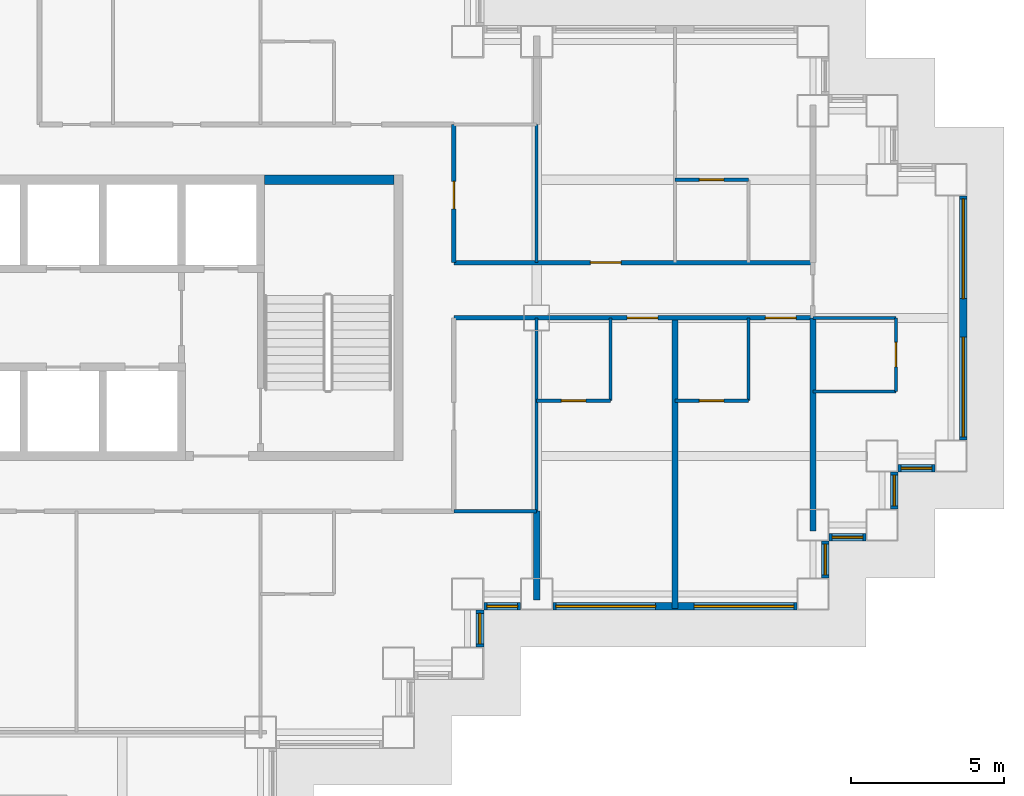
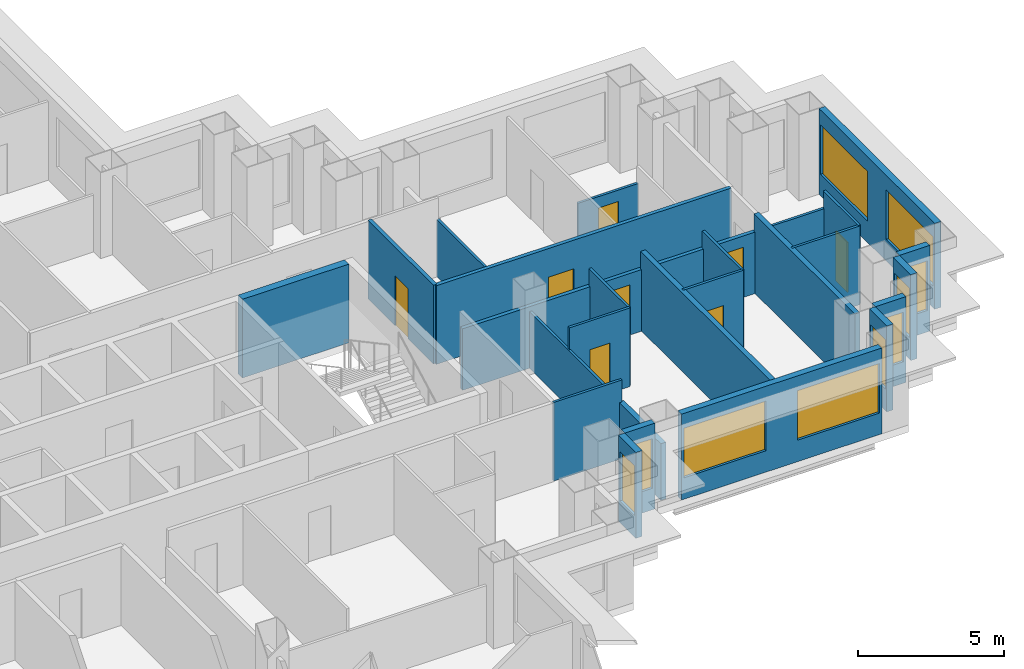
# One storey, part 6 of 14: 26 walls, 10 windows, 8 doors, 18 openings.
"""IFC4 building model written with IfcOpenShell, lengths in metres."""

from ifc_helpers import new_model, si_unit, direction, frame, frame_2d, origin, place, context, subcontext, project, spatial, rectangle, extrude, material, layer, layer_set, type_object, element, fill, save


model = new_model("IFC4")

# Units and contexts
model_context = context("Model", 3, precision=1e-05, world=origin(), true_north=direction((0.0, 1.0)))
body_context = subcontext(model_context, "Body", "Model", "MODEL_VIEW")
ifc_project = project(units=[si_unit("LENGTHUNIT", "METRE"), si_unit("AREAUNIT", "SQUARE_METRE"), si_unit("VOLUMEUNIT", "CUBIC_METRE"), si_unit("PLANEANGLEUNIT", "RADIAN"), si_unit("MASSUNIT", "GRAM", prefix="KILO")], contexts=[model_context])

# Site, building, storey
site_placement = place(None, origin())
site = spatial("IfcSite", under=ifc_project, at=site_placement, CompositionType="ELEMENT")
building_placement = place(site_placement, origin())
building = spatial("IfcBuilding", under=site, at=building_placement, Name="Caravel Reach Hotel and Residences", CompositionType="ELEMENT")
storey_placement = place(building_placement, frame((0.0, 0.0, 37.199951171875)))
storey = spatial("IfcBuildingStorey", under=building, at=storey_placement, Name="L07", CompositionType="ELEMENT", Elevation=37.199951171875)

# Wall, opening, door
ifc_material_1 = material(Name="Gypsum board on steel stud", Category="steel")
ifc_layer_1 = layer(ifc_material_1, 0.10009765625)
ifc_layer_set_1 = layer_set([ifc_layer_1], Name="Bathroom pod wall 100 mm")
wall_type_1 = type_object("IfcWallType", Name="Bathroom pod wall 100 mm", PredefinedType="PARTITIONING", material=ifc_layer_set_1)
wall_1_placement = place(storey_placement, frame((49.5, 24.300048828125, 0.0), z_axis=(0.0, 0.0, 1.0), x_axis=(1.0, 0.0, 0.0)))
wall_1 = element("IfcWall", 1, at=wall_1_placement, inside=storey, type_object=wall_type_1, Name="L07 wall w079", PredefinedType="PARTITIONING", context=body_context, shape_type="SweptSolid", body=[
    extrude(rectangle(XDim=2.39990234375, YDim=0.10009765625, at=frame_2d((1.199951171875, 0.0))), origin(), (0.0, 0.0, 1.0), 3.300048828125),
])
opening_1_placement = place(wall_1_placement, frame((0.800048828125, 0.0, 0.0)))
opening_1 = element("IfcOpeningElement", 2, at=opening_1_placement, cuts=wall_1, Name="Opening D07-020", PredefinedType="OPENING", context=body_context, shape_type="SweptSolid", body=[
    extrude(rectangle(XDim=0.800048828125, YDim=2.10009765625, at=frame_2d((0.39990234375, 1.050048828125))), frame((0.0, 0.06005859375, 0.0), z_axis=(0.0, -1.0, 0.0), x_axis=(1.0, 0.0, 0.0)), (0.0, 0.0, 1.0), 0.1201171875),
])
ifc_material_2 = material(Name="Timber and steel door leaf", Category="steel")
door_type_1 = type_object("IfcDoorType", Name="Bathroom door 800 x 2100", OperationType="SINGLE_SWING_LEFT", PredefinedType="DOOR", material=ifc_material_2)
door_1_placement = place(opening_1_placement, origin())
door_1 = element("IfcDoor", 3, at=door_1_placement, inside=storey, type_object=door_type_1, Name="door D07-020", OperationType="SINGLE_SWING_RIGHT", OverallHeight=2.10009765625, OverallWidth=0.800048828125, PredefinedType="DOOR", context=body_context, shape_type="SweptSolid", body=[
    extrude(rectangle(XDim=0.800048828125, YDim=2.10009765625, at=frame_2d((0.39990234375, 1.050048828125))), frame((0.0, 0.02490234375, 0.0), z_axis=(0.0, -1.0, 0.0), x_axis=(1.0, 0.0, 0.0)), (0.0, 0.0, 1.0), 0.050048828125),
])
fill(opening_1, door_1)

wall_2_placement = place(storey_placement, frame((54.0, 24.300048828125, 0.0), z_axis=(0.0, 0.0, 1.0), x_axis=(1.0, 0.0, 0.0)))
wall_2 = element("IfcWall", 4, at=wall_2_placement, inside=storey, type_object=wall_type_1, Name="L07 wall w080", PredefinedType="PARTITIONING", context=body_context, shape_type="SweptSolid", body=[
    extrude(rectangle(XDim=2.39990234375, YDim=0.10009765625, at=frame_2d((1.199951171875, 0.0))), origin(), (0.0, 0.0, 1.0), 3.300048828125),
])
opening_2_placement = place(wall_2_placement, frame((0.800048828125, 0.0, 0.0)))
opening_2 = element("IfcOpeningElement", 5, at=opening_2_placement, cuts=wall_2, Name="Opening D07-022", PredefinedType="OPENING", context=body_context, shape_type="SweptSolid", body=[
    extrude(rectangle(XDim=0.800048828125, YDim=2.10009765625, at=frame_2d((0.39990234375, 1.050048828125))), frame((0.0, 0.06005859375, 0.0), z_axis=(0.0, -1.0, 0.0), x_axis=(1.0, 0.0, 0.0)), (0.0, 0.0, 1.0), 0.1201171875),
])
door_2_placement = place(opening_2_placement, origin())
door_2 = element("IfcDoor", 6, at=door_2_placement, inside=storey, type_object=door_type_1, Name="door D07-022", OperationType="SINGLE_SWING_RIGHT", OverallHeight=2.10009765625, OverallWidth=0.800048828125, PredefinedType="DOOR", context=body_context, shape_type="SweptSolid", body=[
    extrude(rectangle(XDim=0.800048828125, YDim=2.10009765625, at=frame_2d((0.39990234375, 1.050048828125))), frame((0.0, 0.02490234375, 0.0), z_axis=(0.0, -1.0, 0.0), x_axis=(1.0, 0.0, 0.0)), (0.0, 0.0, 1.0), 0.050048828125),
])
fill(opening_2, door_2)

# Walls
wall_3_placement = place(storey_placement, frame((58.5, 24.60009765625, 0.0), z_axis=(0.0, 0.0, 1.0), x_axis=(1.0, 0.0, 0.0)))
element("IfcWall", 7, at=wall_3_placement, inside=storey, type_object=wall_type_1, Name="L07 wall w081", PredefinedType="PARTITIONING", context=body_context, shape_type="SweptSolid", body=[
    extrude(rectangle(XDim=2.699951171875, YDim=0.10009765625, at=frame_2d((1.35009765625, 0.0))), origin(), (0.0, 0.0, 1.0), 3.300048828125),
])
wall_4_placement = place(storey_placement, frame((58.5, 27.0, 0.0), z_axis=(0.0, 0.0, 1.0), x_axis=(1.0, 0.0, 0.0)))
element("IfcWall", 8, at=wall_4_placement, inside=storey, type_object=wall_type_1, Name="L07 wall w082", PredefinedType="PARTITIONING", context=body_context, shape_type="SweptSolid", body=[
    extrude(rectangle(XDim=2.699951171875, YDim=0.10009765625, at=frame_2d((1.35009765625, 0.0))), origin(), (0.0, 0.0, 1.0), 2.580078125),
])

# Wall, opening, door
wall_5_placement = place(storey_placement, frame((54.0, 31.5, 0.0), z_axis=(0.0, 0.0, 1.0), x_axis=(1.0, 0.0, 0.0)))
wall_5 = element("IfcWall", 9, at=wall_5_placement, inside=storey, type_object=wall_type_1, Name="L07 wall w084", PredefinedType="PARTITIONING", context=body_context, shape_type="SweptSolid", body=[
    extrude(rectangle(XDim=2.39990234375, YDim=0.10009765625, at=frame_2d((1.199951171875, 0.0))), origin(), (0.0, 0.0, 1.0), 2.580078125),
])
opening_3_placement = place(wall_5_placement, frame((0.800048828125, 0.0, 0.0)))
opening_3 = element("IfcOpeningElement", 10, at=opening_3_placement, cuts=wall_5, Name="Opening D07-025", PredefinedType="OPENING", context=body_context, shape_type="SweptSolid", body=[
    extrude(rectangle(XDim=0.800048828125, YDim=2.10009765625, at=frame_2d((0.39990234375, 1.050048828125))), frame((0.0, 0.06005859375, 0.0), z_axis=(0.0, -1.0, 0.0), x_axis=(1.0, 0.0, 0.0)), (0.0, 0.0, 1.0), 0.1201171875),
])
door_3_placement = place(opening_3_placement, origin())
door_3 = element("IfcDoor", 11, at=door_3_placement, inside=storey, type_object=door_type_1, Name="door D07-025", OperationType="SINGLE_SWING_RIGHT", OverallHeight=2.10009765625, OverallWidth=0.800048828125, PredefinedType="DOOR", context=body_context, shape_type="SweptSolid", body=[
    extrude(rectangle(XDim=0.800048828125, YDim=2.10009765625, at=frame_2d((0.39990234375, 1.050048828125))), frame((0.0, 0.02490234375, 0.0), z_axis=(0.0, -1.0, 0.0), x_axis=(1.0, 0.0, 0.0)), (0.0, 0.0, 1.0), 0.050048828125),
])
fill(opening_3, door_3)

# Walls
for number, where, z_axis, x_axis, name in (
    (12, (51.89990234375, 24.300048828125, 0.0), (0.0, 0.0, 1.0), (0.0, 1.0, 0.0), "L07 wall w101"),
    (13, (56.39990234375, 24.300048828125, 0.0), (0.0, 0.0, 1.0), (0.0, 1.0, 0.0), "L07 wall w102"),
):
    element("IfcWall", number, at=place(storey_placement, frame(where, z_axis=z_axis, x_axis=x_axis)), inside=storey, type_object=wall_type_1, Name=name, PredefinedType="PARTITIONING", context=body_context, shape_type="SweptSolid", body=[
        extrude(rectangle(XDim=2.699951171875, YDim=0.10009765625, at=frame_2d((1.35009765625, 0.0))), origin(), (0.0, 0.0, 1.0), 3.300048828125),
    ])

# Wall, opening, door
wall_6_placement = place(storey_placement, frame((61.199951171875, 24.60009765625, 0.0), z_axis=(0.0, 0.0, 1.0), x_axis=(0.0, 1.0, 0.0)))
wall_6 = element("IfcWall", 14, at=wall_6_placement, inside=storey, type_object=wall_type_1, Name="L07 wall w104", PredefinedType="PARTITIONING", context=body_context, shape_type="SweptSolid", body=[
    extrude(rectangle(XDim=2.39990234375, YDim=0.10009765625, at=frame_2d((1.199951171875, 0.0))), origin(), (0.0, 0.0, 1.0), 3.300048828125),
])
opening_4_placement = place(wall_6_placement, frame((0.800048828125, 0.0, 0.0)))
opening_4 = element("IfcOpeningElement", 15, at=opening_4_placement, cuts=wall_6, Name="Opening D07-038", PredefinedType="OPENING", context=body_context, shape_type="SweptSolid", body=[
    extrude(rectangle(XDim=0.800048828125, YDim=2.10009765625, at=frame_2d((0.39990234375, 1.050048828125))), frame((0.0, 0.06005859375, 0.0), z_axis=(0.0, -1.0, 0.0), x_axis=(1.0, 0.0, 0.0)), (0.0, 0.0, 1.0), 0.1201171875),
])
door_4_placement = place(opening_4_placement, origin())
door_4 = element("IfcDoor", 16, at=door_4_placement, inside=storey, type_object=door_type_1, Name="door D07-038", OperationType="SINGLE_SWING_RIGHT", OverallHeight=2.10009765625, OverallWidth=0.800048828125, PredefinedType="DOOR", context=body_context, shape_type="SweptSolid", body=[
    extrude(rectangle(XDim=0.800048828125, YDim=2.10009765625, at=frame_2d((0.39990234375, 1.050048828125))), frame((0.0, 0.02490234375, 0.0), z_axis=(0.0, -1.0, 0.0), x_axis=(1.0, 0.0, 0.0)), (0.0, 0.0, 1.0), 0.050048828125),
])
fill(opening_4, door_4)

# Wall
ifc_material_3 = material(Name="Concrete C60", Category="concrete")
ifc_layer_2 = layer(ifc_material_3, 0.300048828125)
ifc_layer_set_2 = layer_set([ifc_layer_2], Name="Core wall 300 mm EI 120")
wall_type_2 = type_object("IfcWallType", Name="Core wall 300 mm EI 120", PredefinedType="SHEAR", material=ifc_layer_set_2)
wall_7_placement = place(storey_placement, frame((40.625, 31.5, 0.0), z_axis=(0.0, 0.0, 1.0), x_axis=(1.0, 0.0, 0.0)))
element("IfcWall", 17, at=wall_7_placement, inside=storey, type_object=wall_type_2, Name="L07 core wall N2", PredefinedType="SHEAR", context=body_context, shape_type="SweptSolid", body=[
    extrude(rectangle(XDim=4.22509765625, YDim=0.300048828125, at=frame_2d((2.112548828125, 0.0))), origin(), (0.0, 0.0, 1.0), 3.300048828125),
])

# Wall, openings, doors
ifc_material_4 = material(Name="Gypsum board on steel stud, fire-rated", Category="steel")
ifc_layer_3 = layer(ifc_material_4, 0.14990234375)
ifc_layer_set_3 = layer_set([ifc_layer_3], Name="Corridor wall 150 mm EI 60")
wall_type_3 = type_object("IfcWallType", Name="Corridor wall 150 mm EI 60", PredefinedType="PARTITIONING", material=ifc_layer_set_3)
wall_8_placement = place(storey_placement, frame((46.800048828125, 27.0, 0.0), z_axis=(0.0, 0.0, 1.0), x_axis=(1.0, 0.0, 0.0)))
wall_8 = element("IfcWall", 18, at=wall_8_placement, inside=storey, type_object=wall_type_3, Name="L07 wall w011", PredefinedType="PARTITIONING", context=body_context, shape_type="SweptSolid", body=[
    extrude(rectangle(XDim=11.699951171875, YDim=0.14990234375, at=frame_2d((5.85009765625, 0.0))), origin(), (0.0, 0.0, 1.0), 2.580078125),
])
opening_5_placement = place(wall_8_placement, frame((5.64990234375, 0.0, 0.0)))
opening_5 = element("IfcOpeningElement", 19, at=opening_5_placement, cuts=wall_8, Name="Opening D07-019", PredefinedType="OPENING", context=body_context, shape_type="SweptSolid", body=[
    extrude(rectangle(XDim=1.0, YDim=2.10009765625, at=frame_2d((0.5, 1.050048828125))), frame((0.0, 0.0849609375, 0.0), z_axis=(0.0, -1.0, 0.0), x_axis=(1.0, 0.0, 0.0)), (0.0, 0.0, 1.0), 0.169921875),
])
opening_6_placement = place(wall_8_placement, frame((10.14990234375, 0.0, 0.0)))
opening_6 = element("IfcOpeningElement", 20, at=opening_6_placement, cuts=wall_8, Name="Opening D07-021", PredefinedType="OPENING", context=body_context, shape_type="SweptSolid", body=[
    extrude(rectangle(XDim=1.0, YDim=2.10009765625, at=frame_2d((0.5, 1.050048828125))), frame((0.0, 0.0849609375, 0.0), z_axis=(0.0, -1.0, 0.0), x_axis=(1.0, 0.0, 0.0)), (0.0, 0.0, 1.0), 0.169921875),
])
ifc_material_5 = material(Name="Steel fire door leaf", Category="steel")
door_type_2 = type_object("IfcDoorType", Name="Guest room door 1000 x 2100 EI 30", OperationType="SINGLE_SWING_LEFT", PredefinedType="DOOR", material=ifc_material_5)
door_5_placement = place(opening_5_placement, origin())
door_5 = element("IfcDoor", 21, at=door_5_placement, inside=storey, type_object=door_type_2, Name="door D07-019", OperationType="SINGLE_SWING_RIGHT", OverallHeight=2.10009765625, OverallWidth=1.0, PredefinedType="DOOR", context=body_context, shape_type="SweptSolid", body=[
    extrude(rectangle(XDim=1.0, YDim=2.10009765625, at=frame_2d((0.5, 1.050048828125))), frame((0.0, 0.02490234375, 0.0), z_axis=(0.0, -1.0, 0.0), x_axis=(1.0, 0.0, 0.0)), (0.0, 0.0, 1.0), 0.050048828125),
])
fill(opening_5, door_5)
door_6_placement = place(opening_6_placement, origin())
door_6 = element("IfcDoor", 22, at=door_6_placement, inside=storey, type_object=door_type_2, Name="door D07-021", OperationType="SINGLE_SWING_RIGHT", OverallHeight=2.10009765625, OverallWidth=1.0, PredefinedType="DOOR", context=body_context, shape_type="SweptSolid", body=[
    extrude(rectangle(XDim=1.0, YDim=2.10009765625, at=frame_2d((0.5, 1.050048828125))), frame((0.0, 0.02490234375, 0.0), z_axis=(0.0, -1.0, 0.0), x_axis=(1.0, 0.0, 0.0)), (0.0, 0.0, 1.0), 0.050048828125),
])
fill(opening_6, door_6)

# Wall, opening, door
wall_9_placement = place(storey_placement, frame((46.800048828125, 28.800048828125, 0.0), z_axis=(0.0, 0.0, 1.0), x_axis=(1.0, 0.0, 0.0)))
wall_9 = element("IfcWall", 23, at=wall_9_placement, inside=storey, type_object=wall_type_3, Name="L07 wall w013", PredefinedType="PARTITIONING", context=body_context, shape_type="SweptSolid", body=[
    extrude(rectangle(XDim=11.699951171875, YDim=0.14990234375, at=frame_2d((5.85009765625, 0.0))), origin(), (0.0, 0.0, 1.0), 3.300048828125),
])
opening_7_placement = place(wall_9_placement, frame((4.449951171875, 0.0, 0.0)))
opening_7 = element("IfcOpeningElement", 24, at=opening_7_placement, cuts=wall_9, Name="Opening D07-023", PredefinedType="OPENING", context=body_context, shape_type="SweptSolid", body=[
    extrude(rectangle(XDim=1.0, YDim=2.10009765625, at=frame_2d((0.5, 1.050048828125))), frame((0.0, 0.0849609375, 0.0), z_axis=(0.0, -1.0, 0.0), x_axis=(1.0, 0.0, 0.0)), (0.0, 0.0, 1.0), 0.169921875),
])
door_7_placement = place(opening_7_placement, origin())
door_7 = element("IfcDoor", 25, at=door_7_placement, inside=storey, type_object=door_type_2, Name="door D07-023", OperationType="SINGLE_SWING_LEFT", OverallHeight=2.10009765625, OverallWidth=1.0, PredefinedType="DOOR", context=body_context, shape_type="SweptSolid", body=[
    extrude(rectangle(XDim=1.0, YDim=2.10009765625, at=frame_2d((0.5, 1.050048828125))), frame((0.0, 0.02490234375, 0.0), z_axis=(0.0, -1.0, 0.0), x_axis=(1.0, 0.0, 0.0)), (0.0, 0.0, 1.0), 0.050048828125),
])
fill(opening_7, door_7)

wall_10_placement = place(storey_placement, frame((46.800048828125, 28.800048828125, 0.0), z_axis=(0.0, 0.0, 1.0), x_axis=(0.0, 1.0, 0.0)))
wall_10 = element("IfcWall", 26, at=wall_10_placement, inside=storey, type_object=wall_type_3, Name="L07 wall w034", PredefinedType="PARTITIONING", context=body_context, shape_type="SweptSolid", body=[
    extrude(rectangle(XDim=4.5, YDim=0.14990234375, at=frame_2d((2.25, 0.0))), origin(), (0.0, 0.0, 1.0), 3.300048828125),
])
opening_8_placement = place(wall_10_placement, frame((1.75, 0.0, 0.0)))
opening_8 = element("IfcOpeningElement", 27, at=opening_8_placement, cuts=wall_10, Name="Opening D07-059", PredefinedType="OPENING", context=body_context, shape_type="SweptSolid", body=[
    extrude(rectangle(XDim=0.89990234375, YDim=2.10009765625, at=frame_2d((0.449951171875, 1.050048828125))), frame((0.0, 0.0849609375, 0.0), z_axis=(0.0, -1.0, 0.0), x_axis=(1.0, 0.0, 0.0)), (0.0, 0.0, 1.0), 0.169921875),
])
ifc_material_6 = material(Name="Timber and steel door leaf", Category="steel")
door_type_3 = type_object("IfcDoorType", Name="Door 900 x 2100 timber", OperationType="SINGLE_SWING_LEFT", PredefinedType="DOOR", material=ifc_material_6)
door_8_placement = place(opening_8_placement, origin())
door_8 = element("IfcDoor", 28, at=door_8_placement, inside=storey, type_object=door_type_3, Name="door D07-059", OperationType="SINGLE_SWING_RIGHT", OverallHeight=2.10009765625, OverallWidth=0.89990234375, PredefinedType="DOOR", context=body_context, shape_type="SweptSolid", body=[
    extrude(rectangle(XDim=0.89990234375, YDim=2.10009765625, at=frame_2d((0.449951171875, 1.050048828125))), frame((0.0, 0.02490234375, 0.0), z_axis=(0.0, -1.0, 0.0), x_axis=(1.0, 0.0, 0.0)), (0.0, 0.0, 1.0), 0.050048828125),
])
fill(opening_8, door_8)

# Wall, opening, window
ifc_material_7 = material(Name="Insulated rainscreen wall, aluminium cladding", Category="aluminium")
ifc_layer_4 = layer(ifc_material_7, 0.25)
ifc_layer_set_4 = layer_set([ifc_layer_4], Name="EW1 Tower rainscreen wall")
wall_type_4 = type_object("IfcWallType", Name="EW1 Tower rainscreen wall", PredefinedType="SOLIDWALL", material=ifc_layer_set_4)
wall_11_placement = place(storey_placement, frame((47.64990234375, 16.27490234375, 0.0), z_axis=(0.0, 0.0, 1.0), x_axis=(0.0, 1.0, 0.0)))
wall_11 = element("IfcWall", 29, at=wall_11_placement, inside=storey, type_object=wall_type_4, Name="External wall L07 E14.1", PredefinedType="SOLIDWALL", context=body_context, shape_type="SweptSolid", body=[
    extrude(rectangle(XDim=1.2001953125, YDim=0.25, at=frame_2d((0.60009765625, 0.0))), origin(), (0.0, 0.0, 1.0), 3.60009765625),
])
opening_9_placement = place(wall_11_placement, frame((0.10009765625, 0.0, 0.89990234375)))
opening_9 = element("IfcOpeningElement", 30, at=opening_9_placement, cuts=wall_11, Name="Opening WN1", PredefinedType="OPENING", context=body_context, shape_type="SweptSolid", body=[
    extrude(rectangle(XDim=1.0, YDim=2.080078125, at=frame_2d((0.5, 1.0400390625))), frame((0.0, 0.135009765625, 0.0), z_axis=(0.0, -1.0, 0.0), x_axis=(1.0, 0.0, 0.0)), (0.0, 0.0, 1.0), 0.27001953125),
])
ifc_material_8 = material(Name="Dark low-e glazing in black aluminium frame", Category="aluminium")
window_type_1 = type_object("IfcWindowType", Name="Hotel suite corner window 1000 x 2080", PartitioningType="SINGLE_PANEL", PredefinedType="WINDOW", material=ifc_material_8)
window_1_placement = place(opening_9_placement, origin())
window_1 = element("IfcWindow", 31, at=window_1_placement, inside=storey, type_object=window_type_1, Name="Window L07 E14.1.1", OverallHeight=2.080078125, OverallWidth=1.0, PartitioningType="SINGLE_PANEL", PredefinedType="WINDOW", context=body_context, shape_type="SweptSolid", body=[
    extrude(rectangle(XDim=1.0, YDim=2.080078125, at=frame_2d((0.5, 1.0400390625))), frame((0.0, 0.030029296875, 0.0), z_axis=(0.0, -1.0, 0.0), x_axis=(1.0, 0.0, 0.0)), (0.0, 0.0, 1.0), 0.06005859375),
])
fill(opening_9, window_1)

wall_12_placement = place(storey_placement, frame((47.77490234375, 17.60009765625, 0.0), z_axis=(0.0, 0.0, 1.0), x_axis=(1.0, 0.0, 0.0)))
wall_12 = element("IfcWall", 32, at=wall_12_placement, inside=storey, type_object=wall_type_4, Name="External wall L07 S15.1", PredefinedType="SOLIDWALL", context=body_context, shape_type="SweptSolid", body=[
    extrude(rectangle(XDim=1.2001953125, YDim=0.25, at=frame_2d((0.60009765625, 0.0))), origin(), (0.0, 0.0, 1.0), 3.60009765625),
])
opening_10_placement = place(wall_12_placement, frame((0.10009765625, 0.0, 0.89990234375)))
opening_10 = element("IfcOpeningElement", 33, at=opening_10_placement, cuts=wall_12, Name="Opening WN1", PredefinedType="OPENING", context=body_context, shape_type="SweptSolid", body=[
    extrude(rectangle(XDim=1.0, YDim=2.080078125, at=frame_2d((0.5, 1.0400390625))), frame((0.0, 0.135009765625, 0.0), z_axis=(0.0, -1.0, 0.0), x_axis=(1.0, 0.0, 0.0)), (0.0, 0.0, 1.0), 0.27001953125),
])
window_2_placement = place(opening_10_placement, origin())
window_2 = element("IfcWindow", 34, at=window_2_placement, inside=storey, type_object=window_type_1, Name="Window L07 S15.1.1", OverallHeight=2.080078125, OverallWidth=1.0, PartitioningType="SINGLE_PANEL", PredefinedType="WINDOW", context=body_context, shape_type="SweptSolid", body=[
    extrude(rectangle(XDim=1.0, YDim=2.080078125, at=frame_2d((0.5, 1.0400390625))), frame((0.0, 0.030029296875, 0.0), z_axis=(0.0, -1.0, 0.0), x_axis=(1.0, 0.0, 0.0)), (0.0, 0.0, 1.0), 0.06005859375),
])
fill(opening_10, window_2)

# Wall, openings, windows
wall_13_placement = place(storey_placement, frame((50.02490234375, 17.60009765625, 0.0), z_axis=(0.0, 0.0, 1.0), x_axis=(1.0, 0.0, 0.0)))
wall_13 = element("IfcWall", 35, at=wall_13_placement, inside=storey, type_object=wall_type_4, Name="External wall L07 S15.2", PredefinedType="SOLIDWALL", context=body_context, shape_type="SweptSolid", body=[
    extrude(rectangle(XDim=7.9501953125, YDim=0.25, at=frame_2d((3.97509765625, 0.0))), origin(), (0.0, 0.0, 1.0), 3.60009765625),
])
opening_11_placement = place(wall_13_placement, frame((0.10009765625, 0.0, 0.89990234375)))
opening_11 = element("IfcOpeningElement", 36, at=opening_11_placement, cuts=wall_13, Name="Opening WN2", PredefinedType="OPENING", context=body_context, shape_type="SweptSolid", body=[
    extrude(rectangle(XDim=3.25, YDim=2.080078125, at=frame_2d((1.625, 1.0400390625))), frame((0.0, 0.135009765625, 0.0), z_axis=(0.0, -1.0, 0.0), x_axis=(1.0, 0.0, 0.0)), (0.0, 0.0, 1.0), 0.27001953125),
])
opening_12_placement = place(wall_13_placement, frame((4.60009765625, 0.0, 0.89990234375)))
opening_12 = element("IfcOpeningElement", 37, at=opening_12_placement, cuts=wall_13, Name="Opening WN2", PredefinedType="OPENING", context=body_context, shape_type="SweptSolid", body=[
    extrude(rectangle(XDim=3.25, YDim=2.080078125, at=frame_2d((1.625, 1.0400390625))), frame((0.0, 0.135009765625, 0.0), z_axis=(0.0, -1.0, 0.0), x_axis=(1.0, 0.0, 0.0)), (0.0, 0.0, 1.0), 0.27001953125),
])
ifc_material_9 = material(Name="Dark low-e glazing in black aluminium frame", Category="aluminium")
window_type_2 = type_object("IfcWindowType", Name="Hotel guest room window 3250 x 2080", PartitioningType="SINGLE_PANEL", PredefinedType="WINDOW", material=ifc_material_9)
window_3_placement = place(opening_11_placement, origin())
window_3 = element("IfcWindow", 38, at=window_3_placement, inside=storey, type_object=window_type_2, Name="Window L07 S15.2.1", OverallHeight=2.080078125, OverallWidth=3.25, PartitioningType="SINGLE_PANEL", PredefinedType="WINDOW", context=body_context, shape_type="SweptSolid", body=[
    extrude(rectangle(XDim=3.25, YDim=2.080078125, at=frame_2d((1.625, 1.0400390625))), frame((0.0, 0.030029296875, 0.0), z_axis=(0.0, -1.0, 0.0), x_axis=(1.0, 0.0, 0.0)), (0.0, 0.0, 1.0), 0.06005859375),
])
fill(opening_11, window_3)
window_4_placement = place(opening_12_placement, origin())
window_4 = element("IfcWindow", 39, at=window_4_placement, inside=storey, type_object=window_type_2, Name="Window L07 S15.2.2", OverallHeight=2.080078125, OverallWidth=3.25, PartitioningType="SINGLE_PANEL", PredefinedType="WINDOW", context=body_context, shape_type="SweptSolid", body=[
    extrude(rectangle(XDim=3.25, YDim=2.080078125, at=frame_2d((1.625, 1.0400390625))), frame((0.0, 0.030029296875, 0.0), z_axis=(0.0, -1.0, 0.0), x_axis=(1.0, 0.0, 0.0)), (0.0, 0.0, 1.0), 0.06005859375),
])
fill(opening_12, window_4)

# Wall, opening, window
wall_14_placement = place(storey_placement, frame((58.89990234375, 18.52490234375, 0.0), z_axis=(0.0, 0.0, 1.0), x_axis=(0.0, 1.0, 0.0)))
wall_14 = element("IfcWall", 40, at=wall_14_placement, inside=storey, type_object=wall_type_4, Name="External wall L07 E16.1", PredefinedType="SOLIDWALL", context=body_context, shape_type="SweptSolid", body=[
    extrude(rectangle(XDim=1.2001953125, YDim=0.25, at=frame_2d((0.60009765625, 0.0))), origin(), (0.0, 0.0, 1.0), 3.60009765625),
])
opening_13_placement = place(wall_14_placement, frame((0.10009765625, 0.0, 0.89990234375)))
opening_13 = element("IfcOpeningElement", 41, at=opening_13_placement, cuts=wall_14, Name="Opening WN1", PredefinedType="OPENING", context=body_context, shape_type="SweptSolid", body=[
    extrude(rectangle(XDim=1.0, YDim=2.080078125, at=frame_2d((0.5, 1.0400390625))), frame((0.0, 0.135009765625, 0.0), z_axis=(0.0, -1.0, 0.0), x_axis=(1.0, 0.0, 0.0)), (0.0, 0.0, 1.0), 0.27001953125),
])
window_5_placement = place(opening_13_placement, origin())
window_5 = element("IfcWindow", 42, at=window_5_placement, inside=storey, type_object=window_type_1, Name="Window L07 E16.1.1", OverallHeight=2.080078125, OverallWidth=1.0, PartitioningType="SINGLE_PANEL", PredefinedType="WINDOW", context=body_context, shape_type="SweptSolid", body=[
    extrude(rectangle(XDim=1.0, YDim=2.080078125, at=frame_2d((0.5, 1.0400390625))), frame((0.0, 0.030029296875, 0.0), z_axis=(0.0, -1.0, 0.0), x_axis=(1.0, 0.0, 0.0)), (0.0, 0.0, 1.0), 0.06005859375),
])
fill(opening_13, window_5)

wall_15_placement = place(storey_placement, frame((59.02490234375, 19.85009765625, 0.0), z_axis=(0.0, 0.0, 1.0), x_axis=(1.0, 0.0, 0.0)))
wall_15 = element("IfcWall", 43, at=wall_15_placement, inside=storey, type_object=wall_type_4, Name="External wall L07 S17.1", PredefinedType="SOLIDWALL", context=body_context, shape_type="SweptSolid", body=[
    extrude(rectangle(XDim=1.2001953125, YDim=0.25, at=frame_2d((0.60009765625, 0.0))), origin(), (0.0, 0.0, 1.0), 3.60009765625),
])
opening_14_placement = place(wall_15_placement, frame((0.10009765625, 0.0, 0.89990234375)))
opening_14 = element("IfcOpeningElement", 44, at=opening_14_placement, cuts=wall_15, Name="Opening WN1", PredefinedType="OPENING", context=body_context, shape_type="SweptSolid", body=[
    extrude(rectangle(XDim=1.0, YDim=2.080078125, at=frame_2d((0.5, 1.0400390625))), frame((0.0, 0.135009765625, 0.0), z_axis=(0.0, -1.0, 0.0), x_axis=(1.0, 0.0, 0.0)), (0.0, 0.0, 1.0), 0.27001953125),
])
window_6_placement = place(opening_14_placement, origin())
window_6 = element("IfcWindow", 45, at=window_6_placement, inside=storey, type_object=window_type_1, Name="Window L07 S17.1.1", OverallHeight=2.080078125, OverallWidth=1.0, PartitioningType="SINGLE_PANEL", PredefinedType="WINDOW", context=body_context, shape_type="SweptSolid", body=[
    extrude(rectangle(XDim=1.0, YDim=2.080078125, at=frame_2d((0.5, 1.0400390625))), frame((0.0, 0.030029296875, 0.0), z_axis=(0.0, -1.0, 0.0), x_axis=(1.0, 0.0, 0.0)), (0.0, 0.0, 1.0), 0.06005859375),
])
fill(opening_14, window_6)

wall_16_placement = place(storey_placement, frame((61.14990234375, 20.77490234375, 0.0), z_axis=(0.0, 0.0, 1.0), x_axis=(0.0, 1.0, 0.0)))
wall_16 = element("IfcWall", 46, at=wall_16_placement, inside=storey, type_object=wall_type_4, Name="External wall L07 E18.1", PredefinedType="SOLIDWALL", context=body_context, shape_type="SweptSolid", body=[
    extrude(rectangle(XDim=1.2001953125, YDim=0.25, at=frame_2d((0.60009765625, 0.0))), origin(), (0.0, 0.0, 1.0), 3.60009765625),
])
opening_15_placement = place(wall_16_placement, frame((0.10009765625, 0.0, 0.89990234375)))
opening_15 = element("IfcOpeningElement", 47, at=opening_15_placement, cuts=wall_16, Name="Opening WN1", PredefinedType="OPENING", context=body_context, shape_type="SweptSolid", body=[
    extrude(rectangle(XDim=1.0, YDim=2.080078125, at=frame_2d((0.5, 1.0400390625))), frame((0.0, 0.135009765625, 0.0), z_axis=(0.0, -1.0, 0.0), x_axis=(1.0, 0.0, 0.0)), (0.0, 0.0, 1.0), 0.27001953125),
])
window_7_placement = place(opening_15_placement, origin())
window_7 = element("IfcWindow", 48, at=window_7_placement, inside=storey, type_object=window_type_1, Name="Window L07 E18.1.1", OverallHeight=2.080078125, OverallWidth=1.0, PartitioningType="SINGLE_PANEL", PredefinedType="WINDOW", context=body_context, shape_type="SweptSolid", body=[
    extrude(rectangle(XDim=1.0, YDim=2.080078125, at=frame_2d((0.5, 1.0400390625))), frame((0.0, 0.030029296875, 0.0), z_axis=(0.0, -1.0, 0.0), x_axis=(1.0, 0.0, 0.0)), (0.0, 0.0, 1.0), 0.06005859375),
])
fill(opening_15, window_7)

wall_17_placement = place(storey_placement, frame((61.27490234375, 22.10009765625, 0.0), z_axis=(0.0, 0.0, 1.0), x_axis=(1.0, 0.0, 0.0)))
wall_17 = element("IfcWall", 49, at=wall_17_placement, inside=storey, type_object=wall_type_4, Name="External wall L07 S19.1", PredefinedType="SOLIDWALL", context=body_context, shape_type="SweptSolid", body=[
    extrude(rectangle(XDim=1.2001953125, YDim=0.25, at=frame_2d((0.60009765625, 0.0))), origin(), (0.0, 0.0, 1.0), 3.60009765625),
])
opening_16_placement = place(wall_17_placement, frame((0.10009765625, 0.0, 0.89990234375)))
opening_16 = element("IfcOpeningElement", 50, at=opening_16_placement, cuts=wall_17, Name="Opening WN1", PredefinedType="OPENING", context=body_context, shape_type="SweptSolid", body=[
    extrude(rectangle(XDim=1.0, YDim=2.080078125, at=frame_2d((0.5, 1.0400390625))), frame((0.0, 0.135009765625, 0.0), z_axis=(0.0, -1.0, 0.0), x_axis=(1.0, 0.0, 0.0)), (0.0, 0.0, 1.0), 0.27001953125),
])
window_8_placement = place(opening_16_placement, origin())
window_8 = element("IfcWindow", 51, at=window_8_placement, inside=storey, type_object=window_type_1, Name="Window L07 S19.1.1", OverallHeight=2.080078125, OverallWidth=1.0, PartitioningType="SINGLE_PANEL", PredefinedType="WINDOW", context=body_context, shape_type="SweptSolid", body=[
    extrude(rectangle(XDim=1.0, YDim=2.080078125, at=frame_2d((0.5, 1.0400390625))), frame((0.0, 0.030029296875, 0.0), z_axis=(0.0, -1.0, 0.0), x_axis=(1.0, 0.0, 0.0)), (0.0, 0.0, 1.0), 0.06005859375),
])
fill(opening_16, window_8)

# Wall, openings, windows
wall_18_placement = place(storey_placement, frame((63.39990234375, 23.02490234375, 0.0), z_axis=(0.0, 0.0, 1.0), x_axis=(0.0, 1.0, 0.0)))
wall_18 = element("IfcWall", 52, at=wall_18_placement, inside=storey, type_object=wall_type_4, Name="External wall L07 E20.1", PredefinedType="SOLIDWALL", context=body_context, shape_type="SweptSolid", body=[
    extrude(rectangle(XDim=7.9501953125, YDim=0.25, at=frame_2d((3.97509765625, 0.0))), origin(), (0.0, 0.0, 1.0), 3.60009765625),
])
opening_17_placement = place(wall_18_placement, frame((0.10009765625, 0.0, 0.89990234375)))
opening_17 = element("IfcOpeningElement", 53, at=opening_17_placement, cuts=wall_18, Name="Opening WN2", PredefinedType="OPENING", context=body_context, shape_type="SweptSolid", body=[
    extrude(rectangle(XDim=3.25, YDim=2.080078125, at=frame_2d((1.625, 1.0400390625))), frame((0.0, 0.135009765625, 0.0), z_axis=(0.0, -1.0, 0.0), x_axis=(1.0, 0.0, 0.0)), (0.0, 0.0, 1.0), 0.27001953125),
])
opening_18_placement = place(wall_18_placement, frame((4.60009765625, 0.0, 0.89990234375)))
opening_18 = element("IfcOpeningElement", 54, at=opening_18_placement, cuts=wall_18, Name="Opening WN2", PredefinedType="OPENING", context=body_context, shape_type="SweptSolid", body=[
    extrude(rectangle(XDim=3.25, YDim=2.080078125, at=frame_2d((1.625, 1.0400390625))), frame((0.0, 0.135009765625, 0.0), z_axis=(0.0, -1.0, 0.0), x_axis=(1.0, 0.0, 0.0)), (0.0, 0.0, 1.0), 0.27001953125),
])
window_9_placement = place(opening_17_placement, origin())
window_9 = element("IfcWindow", 55, at=window_9_placement, inside=storey, type_object=window_type_2, Name="Window L07 E20.1.1", OverallHeight=2.080078125, OverallWidth=3.25, PartitioningType="SINGLE_PANEL", PredefinedType="WINDOW", context=body_context, shape_type="SweptSolid", body=[
    extrude(rectangle(XDim=3.25, YDim=2.080078125, at=frame_2d((1.625, 1.0400390625))), frame((0.0, 0.030029296875, 0.0), z_axis=(0.0, -1.0, 0.0), x_axis=(1.0, 0.0, 0.0)), (0.0, 0.0, 1.0), 0.06005859375),
])
fill(opening_17, window_9)
window_10_placement = place(opening_18_placement, origin())
window_10 = element("IfcWindow", 56, at=window_10_placement, inside=storey, type_object=window_type_2, Name="Window L07 E20.1.2", OverallHeight=2.080078125, OverallWidth=3.25, PartitioningType="SINGLE_PANEL", PredefinedType="WINDOW", context=body_context, shape_type="SweptSolid", body=[
    extrude(rectangle(XDim=3.25, YDim=2.080078125, at=frame_2d((1.625, 1.0400390625))), frame((0.0, 0.030029296875, 0.0), z_axis=(0.0, -1.0, 0.0), x_axis=(1.0, 0.0, 0.0)), (0.0, 0.0, 1.0), 0.06005859375),
])
fill(opening_18, window_10)

# Walls
ifc_material_10 = material(Name="Gypsum board on steel stud", Category="steel")
ifc_layer_5 = layer(ifc_material_10, 0.10009765625)
ifc_layer_set_5 = layer_set([ifc_layer_5], Name="Partition 100 mm")
wall_type_5 = type_object("IfcWallType", Name="Partition 100 mm", PredefinedType="PARTITIONING", material=ifc_layer_set_5)
wall_19_placement = place(storey_placement, frame((46.800048828125, 20.699951171875, 0.0), z_axis=(0.0, 0.0, 1.0), x_axis=(1.0, 0.0, 0.0)))
element("IfcWall", 57, at=wall_19_placement, inside=storey, type_object=wall_type_5, Name="L07 wall w042", PredefinedType="PARTITIONING", context=body_context, shape_type="SweptSolid", body=[
    extrude(rectangle(XDim=2.699951171875, YDim=0.10009765625, at=frame_2d((1.35009765625, 0.0))), origin(), (0.0, 0.0, 1.0), 3.300048828125),
])
wall_20_placement = place(storey_placement, frame((49.5, 20.699951171875, 0.0), z_axis=(0.0, 0.0, 1.0), x_axis=(0.0, 1.0, 0.0)))
element("IfcWall", 58, at=wall_20_placement, inside=storey, type_object=wall_type_5, Name="L07 wall w062", PredefinedType="PARTITIONING", context=body_context, shape_type="SweptSolid", body=[
    extrude(rectangle(XDim=6.300048828125, YDim=0.10009765625, at=frame_2d((3.14990234375, 0.0))), origin(), (0.0, 0.0, 1.0), 2.380126953125),
])
wall_21_placement = place(storey_placement, frame((49.5, 28.800048828125, 0.0), z_axis=(0.0, 0.0, 1.0), x_axis=(0.0, 1.0, 0.0)))
element("IfcWall", 59, at=wall_21_placement, inside=storey, type_object=wall_type_5, Name="L07 wall w063", PredefinedType="PARTITIONING", context=body_context, shape_type="SweptSolid", body=[
    extrude(rectangle(XDim=4.5, YDim=0.10009765625, at=frame_2d((2.25, 0.0))), origin(), (0.0, 0.0, 1.0), 2.380126953125),
])
ifc_material_11 = material(Name="Autoclaved aerated block wall")
ifc_layer_6 = layer(ifc_material_11, 0.199951171875)
ifc_layer_set_6 = layer_set([ifc_layer_6], Name="Party wall 200 mm EI 60")
wall_type_6 = type_object("IfcWallType", Name="Party wall 200 mm EI 60", PredefinedType="PARTITIONING", material=ifc_layer_set_6)
wall_22_placement = place(storey_placement, frame((49.5, 17.81005859375, 0.0), z_axis=(0.0, 0.0, 1.0), x_axis=(0.0, 1.0, 0.0)))
element("IfcWall", 60, at=wall_22_placement, inside=storey, type_object=wall_type_6, Name="L07 wall w069", PredefinedType="PARTITIONING", context=body_context, shape_type="SweptSolid", body=[
    extrude(rectangle(XDim=2.889892578125, YDim=0.199951171875, at=frame_2d((1.44482421875, 0.0))), origin(), (0.0, 0.0, 1.0), 2.380126953125),
])
wall_23_placement = place(storey_placement, frame((54.0, 17.534912109375, 0.0), z_axis=(0.0, 0.0, 1.0), x_axis=(0.0, 1.0, 0.0)))
element("IfcWall", 61, at=wall_23_placement, inside=storey, type_object=wall_type_6, Name="L07 wall w071", PredefinedType="PARTITIONING", context=body_context, shape_type="SweptSolid", body=[
    extrude(rectangle(XDim=9.465087890625, YDim=0.199951171875, at=frame_2d((4.732421875, 0.0))), origin(), (0.0, 0.0, 1.0), 3.300048828125),
])
wall_24_placement = place(storey_placement, frame((58.5, 20.06005859375, 0.0), z_axis=(0.0, 0.0, 1.0), x_axis=(0.0, 1.0, 0.0)))
element("IfcWall", 62, at=wall_24_placement, inside=storey, type_object=wall_type_6, Name="L07 wall w072", PredefinedType="PARTITIONING", context=body_context, shape_type="SweptSolid", body=[
    extrude(rectangle(XDim=6.93994140625, YDim=0.199951171875, at=frame_2d((3.469970703125, 0.0))), origin(), (0.0, 0.0, 1.0), 3.300048828125),
])

save(model, "model.ifc")
